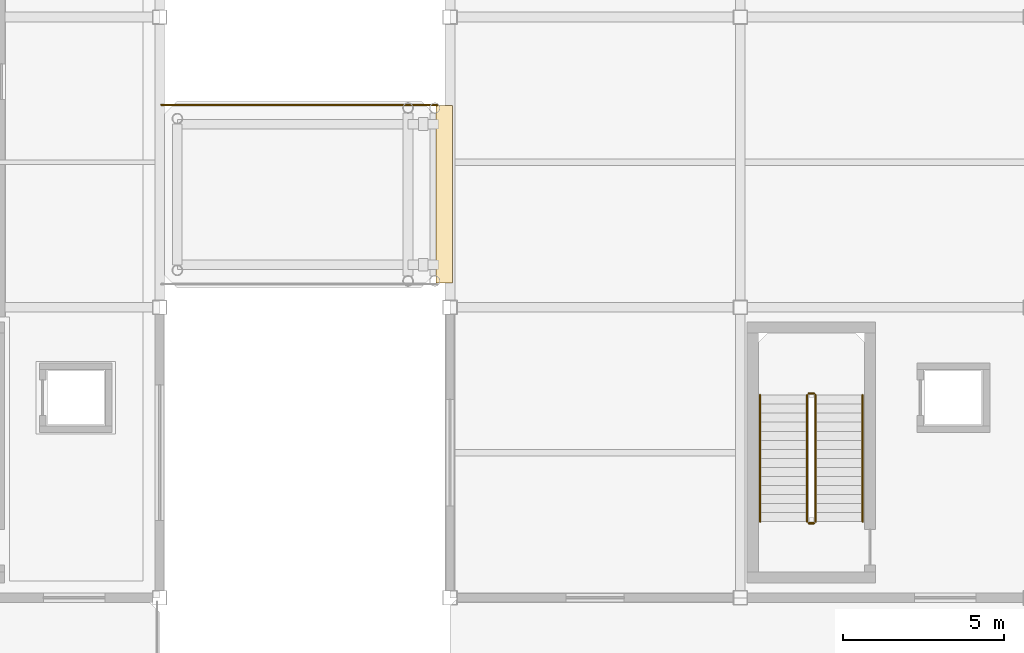
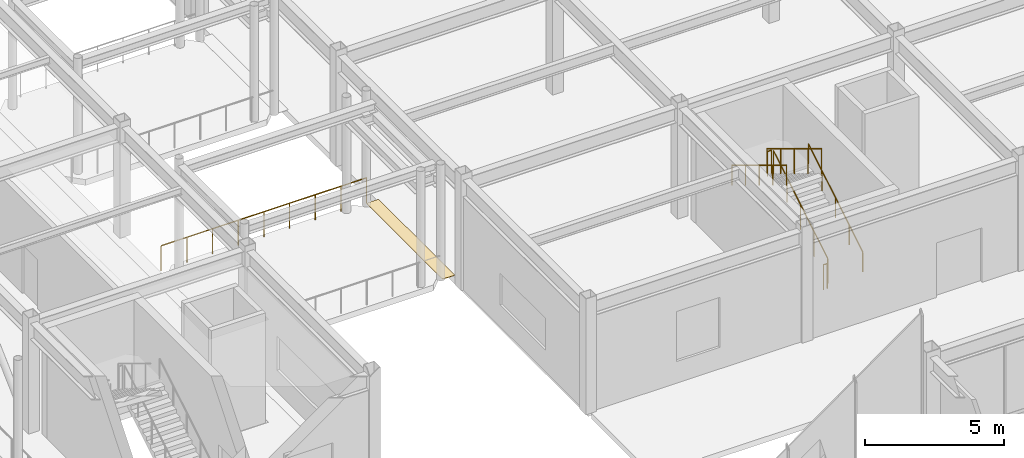
# One storey, part 111 of 123: 7 railings, 1 covering.
"""IFC4 building model written with IfcOpenShell, lengths in metres."""

from ifc_helpers import new_model, si_unit, direction, frame, origin, origin_2d, place, context, subcontext, project, spatial, polyline, circle, outline, extrude, material, layer, layer_set, type_object, element, save


model = new_model("IFC4")

# Units and contexts
model_context = context("Model", 3, precision=1e-05, world=origin(), true_north=direction((0.0, 1.0)))
body_context = subcontext(model_context, "Body", "Model", "MODEL_VIEW")
ifc_project = project(units=[si_unit("LENGTHUNIT", "METRE"), si_unit("AREAUNIT", "SQUARE_METRE"), si_unit("VOLUMEUNIT", "CUBIC_METRE"), si_unit("PLANEANGLEUNIT", "RADIAN"), si_unit("MASSUNIT", "GRAM", prefix="KILO")], contexts=[model_context])

# Site, building, storey
site_placement = place(None, origin())
site = spatial("IfcSite", under=ifc_project, at=site_placement, CompositionType="ELEMENT")
building_placement = place(site_placement, origin())
building = spatial("IfcBuilding", under=site, at=building_placement, Name="Suzunagisa Mobility Hub", CompositionType="ELEMENT")
storey_placement = place(building_placement, origin())
storey = spatial("IfcBuildingStorey", under=building, at=storey_placement, Name="L00", CompositionType="ELEMENT", Elevation=0.0)

# Railings
ifc_material_1 = material(Name="Stainless Steel SUS304", Category="metal")
railing_type_1 = type_object("IfcRailingType", Name="Interior Well Guardrail IGR-01", PredefinedType="GUARDRAIL", material=ifc_material_1)
railing_1_placement = place(storey_placement, frame((56.330078125, 82.360107421875, 0.169921875)))
element("IfcRailing", 1, at=railing_1_placement, inside=storey, type_object=railing_type_1, Name="L00 ST-07 stair guard 1", PredefinedType="GUARDRAIL", context=body_context, shape_type="SweptSolid", body=[
    extrude(circle(Radius=0.02392578125, at=origin_2d()), frame((0.0, 0.0, 1.09619140625), z_axis=(0.0, 0.854770645689, 0.519005918337), x_axis=(-1.0, 0.0, 0.0)), (0.0, 0.0, 1.0), 4.5859375),
    extrude(circle(Radius=0.02099609375, at=origin_2d()), origin(), (0.0, 0.0, 1.0), 1.072021484375),
    extrude(circle(Radius=0.02099609375, at=origin_2d()), frame((0.0, 0.97998046875, 0.594970703125)), (0.0, 0.0, 1.0), 1.072021484375),
    extrude(circle(Radius=0.02099609375, at=origin_2d()), frame((0.0, 1.9599609375, 1.18994140625)), (0.0, 0.0, 1.0), 1.072021484375),
    extrude(circle(Radius=0.02099609375, at=origin_2d()), frame((0.0, 2.93994140625, 1.78515625)), (0.0, 0.0, 1.0), 1.072021484375),
    extrude(circle(Radius=0.02099609375, at=origin_2d()), frame((0.0, 3.919921875, 2.380126953125)), (0.0, 0.0, 1.0), 1.072021484375),
])
railing_2_placement = place(storey_placement, frame((56.280029296875, 86.330078125, 2.550048828125)))
element("IfcRailing", 2, at=railing_2_placement, inside=storey, type_object=railing_type_1, Name="L00 ST-07 stair guard 2", PredefinedType="GUARDRAIL", context=body_context, shape_type="SweptSolid", body=[
    extrude(circle(Radius=0.02392578125, at=origin_2d()), frame((0.0, 0.0, 1.09619140625), z_axis=(-1.0, 0.0, 0.0), x_axis=(0.0, -1.0, 0.0)), (0.0, 0.0, 1.0), 0.159912109375),
    extrude(circle(Radius=0.02099609375, at=origin_2d()), origin(), (0.0, 0.0, 1.0), 1.072021484375),
    extrude(circle(Radius=0.02099609375, at=origin_2d()), frame((-0.159912109375, 0.0, 0.0)), (0.0, 0.0, 1.0), 1.072021484375),
])
railing_3_placement = place(storey_placement, frame((56.070068359375, 86.280029296875, 2.719970703125)))
element("IfcRailing", 3, at=railing_3_placement, inside=storey, type_object=railing_type_1, Name="L00 ST-07 stair guard 3", PredefinedType="GUARDRAIL", context=body_context, shape_type="SweptSolid", body=[
    extrude(circle(Radius=0.02392578125, at=origin_2d()), frame((0.0, 0.0, 1.09619140625), z_axis=(0.0, -0.854770645689, 0.519005918337), x_axis=(1.0, 0.0, 0.0)), (0.0, 0.0, 1.0), 4.5859375),
    extrude(circle(Radius=0.02099609375, at=origin_2d()), origin(), (0.0, 0.0, 1.0), 1.072021484375),
    extrude(circle(Radius=0.02099609375, at=origin_2d()), frame((0.0, -0.97998046875, 0.594970703125)), (0.0, 0.0, 1.0), 1.072021484375),
    extrude(circle(Radius=0.02099609375, at=origin_2d()), frame((0.0, -1.9599609375, 1.18994140625)), (0.0, 0.0, 1.0), 1.072021484375),
    extrude(circle(Radius=0.02099609375, at=origin_2d()), frame((0.0, -2.93994140625, 1.78515625)), (0.0, 0.0, 1.0), 1.072021484375),
    extrude(circle(Radius=0.02099609375, at=origin_2d()), frame((0.0, -3.919921875, 2.380126953125)), (0.0, 0.0, 1.0), 1.072021484375),
])
railing_4_placement = place(storey_placement, frame((56.280029296875, 82.31005859375, 0.0)))
element("IfcRailing", 4, at=railing_4_placement, inside=storey, type_object=railing_type_1, Name="L00 ST-07 stair guard 4", PredefinedType="GUARDRAIL", context=body_context, shape_type="SweptSolid", body=[
    extrude(circle(Radius=0.02392578125, at=origin_2d()), frame((0.0, 0.0, 1.09619140625), z_axis=(-1.0, 0.0, 0.0), x_axis=(0.0, -1.0, 0.0)), (0.0, 0.0, 1.0), 0.159912109375),
    extrude(circle(Radius=0.02099609375, at=origin_2d()), origin(), (0.0, 0.0, 1.0), 1.072021484375),
    extrude(circle(Radius=0.02099609375, at=origin_2d()), frame((-0.159912109375, 0.0, 0.0)), (0.0, 0.0, 1.0), 1.072021484375),
])

# Covering
ifc_material_2 = material(Name="Polished Aggregate Terrazzo Finish")
ifc_layer = layer(ifc_material_2, 0.02001953125)
ifc_layer_set = layer_set([ifc_layer], Name="Polished Aggregate Terrazzo Finish")
covering_type = type_object("IfcCoveringType", Name="Polished Terrazzo Heavy-Traffic Flooring FLR-01", PredefinedType="FLOORING", material=ifc_layer_set)
covering_placement = place(storey_placement, frame((0.0, 0.0, -0.02001953125)))
element("IfcCovering", 5, at=covering_placement, inside=storey, type_object=covering_type, Name="L00 Flush Hinged Seismic Threshold Plate VRL-L00-S", PredefinedType="FLOORING", context=body_context, shape_type="SweptSolid", body=[
    extrude(outline(polyline([(44.570068359375, 89.75), (45.080078125, 89.75), (45.080078125, 95.25), (44.570068359375, 95.25), (44.570068359375, 89.75)])), origin(), (0.0, 0.0, 1.0), 0.02001953125),
])

# Railings
ifc_material_3 = material(Name="Stainless Steel SUS316", Category="metal")
railing_type_2 = type_object("IfcRailingType", Name="Terrace Stainless Steel Guardrail GR-01", PredefinedType="GUARDRAIL", material=ifc_material_3)
railing_5_placement = place(storey_placement, frame((36.050048828125, 95.280029296875, 0.0)))
element("IfcRailing", 6, at=railing_5_placement, inside=storey, type_object=railing_type_2, Name="L00 Bridge Edge Guardrail VRL-L00-S-72", PredefinedType="GUARDRAIL", context=body_context, shape_type="SweptSolid", body=[
    extrude(circle(Radius=0.02392578125, at=origin_2d()), frame((0.0, 0.0, 1.09619140625), z_axis=(1.0, 0.0, 0.0), x_axis=(0.0, 1.0, 0.0)), (0.0, 0.0, 1.0), 8.550048828125),
    extrude(circle(Radius=0.02099609375, at=origin_2d()), origin(), (0.0, 0.0, 1.0), 1.072021484375),
    extrude(circle(Radius=0.02099609375, at=origin_2d()), frame((1.06884765625, 0.0, 0.0)), (0.0, 0.0, 1.0), 1.072021484375),
    extrude(circle(Radius=0.02099609375, at=origin_2d()), frame((2.137451171875, 0.0, 0.0)), (0.0, 0.0, 1.0), 1.072021484375),
    extrude(circle(Radius=0.02099609375, at=origin_2d()), frame((3.206298828125, 0.0, 0.0)), (0.0, 0.0, 1.0), 1.072021484375),
    extrude(circle(Radius=0.02099609375, at=origin_2d()), frame((4.27490234375, 0.0, 0.0)), (0.0, 0.0, 1.0), 1.072021484375),
    extrude(circle(Radius=0.02099609375, at=origin_2d()), frame((5.34375, 0.0, 0.0)), (0.0, 0.0, 1.0), 1.072021484375),
    extrude(circle(Radius=0.02099609375, at=origin_2d()), frame((6.41259765625, 0.0, 0.0)), (0.0, 0.0, 1.0), 1.072021484375),
    extrude(circle(Radius=0.02099609375, at=origin_2d()), frame((7.481201171875, 0.0, 0.0)), (0.0, 0.0, 1.0), 1.072021484375),
    extrude(circle(Radius=0.02099609375, at=origin_2d()), frame((8.550048828125, 0.0, 0.0)), (0.0, 0.0, 1.0), 1.072021484375),
])
railing_type_3 = type_object("IfcRailingType", Name="Tubular Stainless Stair Handrail IHR-01", PredefinedType="HANDRAIL", material=ifc_material_1)
railing_6_placement = place(storey_placement, frame((57.7900390625, 82.360107421875, 0.169921875)))
element("IfcRailing", 7, at=railing_6_placement, inside=storey, type_object=railing_type_3, Name="L00 ST-07 stair handrail 1", PredefinedType="HANDRAIL", context=body_context, shape_type="SweptSolid", body=[
    extrude(circle(Radius=0.02392578125, at=origin_2d()), frame((0.0, 0.0, 0.8759765625), z_axis=(0.0, 0.854770645689, 0.519005918337), x_axis=(-1.0, 0.0, 0.0)), (0.0, 0.0, 1.0), 4.5859375),
    extrude(circle(Radius=0.02099609375, at=origin_2d()), origin(), (0.0, 0.0, 1.0), 0.851806640625),
    extrude(circle(Radius=0.02099609375, at=origin_2d()), frame((0.0, 0.97998046875, 0.594970703125)), (0.0, 0.0, 1.0), 0.851806640625),
    extrude(circle(Radius=0.02099609375, at=origin_2d()), frame((0.0, 1.9599609375, 1.18994140625)), (0.0, 0.0, 1.0), 0.851806640625),
    extrude(circle(Radius=0.02099609375, at=origin_2d()), frame((0.0, 2.93994140625, 1.78515625)), (0.0, 0.0, 1.0), 0.851806640625),
    extrude(circle(Radius=0.02099609375, at=origin_2d()), frame((0.0, 3.919921875, 2.380126953125)), (0.0, 0.0, 1.0), 0.851806640625),
])
railing_7_placement = place(storey_placement, frame((54.610107421875, 86.280029296875, 2.719970703125)))
element("IfcRailing", 8, at=railing_7_placement, inside=storey, type_object=railing_type_3, Name="L00 ST-07 stair handrail 2", PredefinedType="HANDRAIL", context=body_context, shape_type="SweptSolid", body=[
    extrude(circle(Radius=0.02392578125, at=origin_2d()), frame((0.0, 0.0, 0.8759765625), z_axis=(0.0, -0.854770645689, 0.519005918337), x_axis=(1.0, 0.0, 0.0)), (0.0, 0.0, 1.0), 4.5859375),
    extrude(circle(Radius=0.02099609375, at=origin_2d()), origin(), (0.0, 0.0, 1.0), 0.851806640625),
    extrude(circle(Radius=0.02099609375, at=origin_2d()), frame((0.0, -0.97998046875, 0.594970703125)), (0.0, 0.0, 1.0), 0.851806640625),
    extrude(circle(Radius=0.02099609375, at=origin_2d()), frame((0.0, -1.9599609375, 1.18994140625)), (0.0, 0.0, 1.0), 0.851806640625),
    extrude(circle(Radius=0.02099609375, at=origin_2d()), frame((0.0, -2.93994140625, 1.78515625)), (0.0, 0.0, 1.0), 0.851806640625),
    extrude(circle(Radius=0.02099609375, at=origin_2d()), frame((0.0, -3.919921875, 2.380126953125)), (0.0, 0.0, 1.0), 0.851806640625),
])

save(model, "model.ifc")
